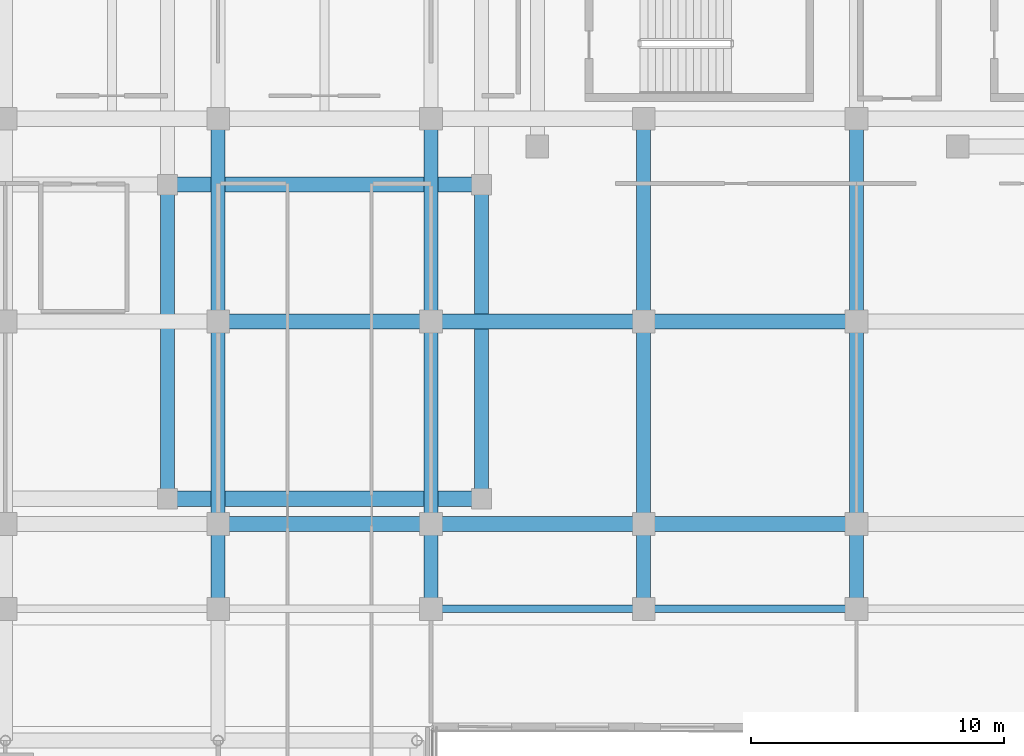
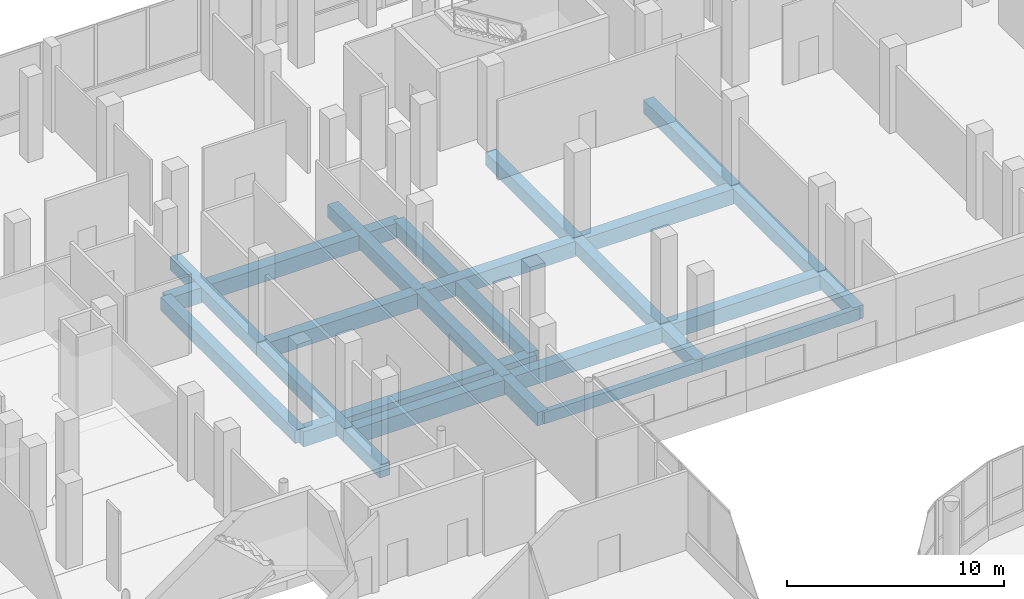
# One storey, part 89 of 168: 24 beams.
"""IFC4 building model written with IfcOpenShell, lengths in metres."""

from ifc_helpers import new_model, si_unit, direction, frame, origin, origin_2d, place, context, subcontext, project, spatial, rectangle, extrude, material, material_profile, profile_set, type_object, element, save


model = new_model("IFC4")

# Units and contexts
model_context = context("Model", 3, precision=1e-05, world=origin(), true_north=direction((0.0, 1.0)))
body_context = subcontext(model_context, "Body", "Model", "MODEL_VIEW")
ifc_project = project(units=[si_unit("LENGTHUNIT", "METRE"), si_unit("AREAUNIT", "SQUARE_METRE"), si_unit("VOLUMEUNIT", "CUBIC_METRE"), si_unit("PLANEANGLEUNIT", "RADIAN"), si_unit("MASSUNIT", "GRAM", prefix="KILO")], contexts=[model_context])

# Site, building, storey
site_placement = place(None, origin())
site = spatial("IfcSite", under=ifc_project, at=site_placement, CompositionType="ELEMENT")
building_placement = place(site_placement, origin())
building = spatial("IfcBuilding", under=site, at=building_placement, Name="Selatvlak General Hospital", CompositionType="ELEMENT")
storey_placement = place(building_placement, frame((0.0, 0.0, 5.39990234375)))
storey = spatial("IfcBuildingStorey", under=building, at=storey_placement, Name="L01", CompositionType="ELEMENT", Elevation=5.39990234375)

# Beams
ifc_material = material(Name="Concrete C40/50", Category="concrete")
ifc_material_profile_1 = material_profile(ifc_material, rectangle(XDim=0.60009765625, YDim=0.85009765625, at=origin_2d()), Name="RC-BM 600x850")
ifc_profile_set_1 = profile_set([ifc_material_profile_1], Name="Concrete C40/50")
beam_type_1 = type_object("IfcBeamType", Name="BM-G01", PredefinedType="BEAM", material=ifc_profile_set_1)
beam_1_placement = place(storey_placement, frame((73.199951171875, 92.0, -0.744873046875), z_axis=(1.0, 0.0, 0.0), x_axis=(0.0, 1.0, 0.0)))
element("IfcBeam", 1, at=beam_1_placement, inside=storey, type_object=beam_type_1, Name="Beam BMR-L01-0458", PredefinedType="BEAM", context=body_context, shape_type="SweptSolid", body=[
    extrude(rectangle(XDim=0.60009765625, YDim=0.85009765625, at=origin_2d()), origin(), (0.0, 0.0, 1.0), 8.400146484375),
])
for number, where, z_axis, x_axis, name in (
    (2, (81.60009765625, 92.0, -0.744873046875), (1.0, 0.0, 0.0), (0.0, 1.0, 0.0), "Beam BMR-L01-0459"),
    (3, (90.0, 92.0, -0.744873046875), (1.0, 0.0, 0.0), (0.0, 1.0, 0.0), "Beam BMR-L01-0460"),
):
    element("IfcBeam", number, at=place(storey_placement, frame(where, z_axis=z_axis, x_axis=x_axis)), inside=storey, type_object=beam_type_1, Name=name, PredefinedType="BEAM", context=body_context, shape_type="SweptSolid", body=[
        extrude(rectangle(XDim=0.60009765625, YDim=0.85009765625, at=origin_2d()), origin(), (0.0, 0.0, 1.0), 8.39990234375),
    ])
beam_2_placement = place(storey_placement, frame((71.199951171875, 93.0, -0.744873046875), z_axis=(1.0, 0.0, 0.0), x_axis=(0.0, 1.0, 0.0)))
element("IfcBeam", 4, at=beam_2_placement, inside=storey, type_object=beam_type_1, Name="Beam BMR-L01-0473", PredefinedType="BEAM", context=body_context, shape_type="SweptSolid", body=[
    extrude(rectangle(XDim=0.60009765625, YDim=0.85009765625, at=origin_2d()), origin(), (0.0, 0.0, 1.0), 12.400146484375),
])
beam_3_placement = place(storey_placement, frame((73.199951171875, 100.0, -0.744873046875), z_axis=(1.0, 0.0, 0.0), x_axis=(0.0, 1.0, 0.0)))
element("IfcBeam", 5, at=beam_3_placement, inside=storey, type_object=beam_type_1, Name="Beam BMR-L01-0480", PredefinedType="BEAM", context=body_context, shape_type="SweptSolid", body=[
    extrude(rectangle(XDim=0.60009765625, YDim=0.85009765625, at=origin_2d()), origin(), (0.0, 0.0, 1.0), 8.400146484375),
])
for number, where, z_axis, x_axis, name in (
    (6, (81.60009765625, 100.0, -0.744873046875), (1.0, 0.0, 0.0), (0.0, 1.0, 0.0), "Beam BMR-L01-0481"),
    (7, (90.0, 100.0, -0.744873046875), (1.0, 0.0, 0.0), (0.0, 1.0, 0.0), "Beam BMR-L01-0482"),
):
    element("IfcBeam", number, at=place(storey_placement, frame(where, z_axis=z_axis, x_axis=x_axis)), inside=storey, type_object=beam_type_1, Name=name, PredefinedType="BEAM", context=body_context, shape_type="SweptSolid", body=[
        extrude(rectangle(XDim=0.60009765625, YDim=0.85009765625, at=origin_2d()), origin(), (0.0, 0.0, 1.0), 8.39990234375),
    ])
beam_4_placement = place(storey_placement, frame((71.199951171875, 105.39990234375, -0.744873046875), z_axis=(1.0, 0.0, 0.0), x_axis=(0.0, 1.0, 0.0)))
element("IfcBeam", 8, at=beam_4_placement, inside=storey, type_object=beam_type_1, Name="Beam BMR-L01-0493", PredefinedType="BEAM", context=body_context, shape_type="SweptSolid", body=[
    extrude(rectangle(XDim=0.60009765625, YDim=0.85009765625, at=origin_2d()), origin(), (0.0, 0.0, 1.0), 12.400146484375),
])
ifc_material_profile_2 = material_profile(ifc_material, rectangle(XDim=0.550048828125, YDim=0.75, at=origin_2d()), Name="RC-BM 550x750")
ifc_profile_set_2 = profile_set([ifc_material_profile_2], Name="Concrete C40/50")
beam_type_2 = type_object("IfcBeamType", Name="BM-G02", PredefinedType="BEAM", material=ifc_profile_set_2)
beam_5_placement = place(storey_placement, frame((71.199951171875, 93.0, -0.69482421875), z_axis=(0.0, 1.0, 0.0), x_axis=(-1.0, 0.0, 0.0)))
element("IfcBeam", 9, at=beam_5_placement, inside=storey, type_object=beam_type_2, Name="Beam BMR-L01-0586", PredefinedType="BEAM", context=body_context, shape_type="SweptSolid", body=[
    extrude(rectangle(XDim=0.550048828125, YDim=0.75, at=origin_2d()), origin(), (0.0, 0.0, 1.0), 12.39990234375),
])
beam_6_placement = place(storey_placement, frame((73.199951171875, 88.64990234375, -0.69482421875), z_axis=(0.0, 1.0, 0.0), x_axis=(-1.0, 0.0, 0.0)))
element("IfcBeam", 10, at=beam_6_placement, inside=storey, type_object=beam_type_2, Name="Beam BMR-L01-0590", PredefinedType="BEAM", context=body_context, shape_type="SweptSolid", body=[
    extrude(rectangle(XDim=0.550048828125, YDim=0.75, at=origin_2d()), origin(), (0.0, 0.0, 1.0), 3.35009765625),
])
for number, where, z_axis, x_axis, name in (
    (11, (73.199951171875, 92.0, -0.69482421875), (0.0, 1.0, 0.0), (-1.0, 0.0, 0.0), "Beam BMR-L01-0591"),
    (12, (73.199951171875, 100.0, -0.69482421875), (0.0, 1.0, 0.0), (-1.0, 0.0, 0.0), "Beam BMR-L01-0592"),
):
    element("IfcBeam", number, at=place(storey_placement, frame(where, z_axis=z_axis, x_axis=x_axis)), inside=storey, type_object=beam_type_2, Name=name, PredefinedType="BEAM", context=body_context, shape_type="SweptSolid", body=[
        extrude(rectangle(XDim=0.550048828125, YDim=0.75, at=origin_2d()), origin(), (0.0, 0.0, 1.0), 8.0),
    ])
beam_7_placement = place(storey_placement, frame((81.60009765625, 88.64990234375, -0.69482421875), z_axis=(0.0, 1.0, 0.0), x_axis=(-1.0, 0.0, 0.0)))
element("IfcBeam", 13, at=beam_7_placement, inside=storey, type_object=beam_type_2, Name="Beam BMR-L01-0597", PredefinedType="BEAM", context=body_context, shape_type="SweptSolid", body=[
    extrude(rectangle(XDim=0.550048828125, YDim=0.75, at=origin_2d()), origin(), (0.0, 0.0, 1.0), 3.35009765625),
])
for number, where, z_axis, x_axis, name in (
    (14, (81.60009765625, 92.0, -0.69482421875), (0.0, 1.0, 0.0), (-1.0, 0.0, 0.0), "Beam BMR-L01-0598"),
    (15, (81.60009765625, 100.0, -0.69482421875), (0.0, 1.0, 0.0), (-1.0, 0.0, 0.0), "Beam BMR-L01-0599"),
):
    element("IfcBeam", number, at=place(storey_placement, frame(where, z_axis=z_axis, x_axis=x_axis)), inside=storey, type_object=beam_type_2, Name=name, PredefinedType="BEAM", context=body_context, shape_type="SweptSolid", body=[
        extrude(rectangle(XDim=0.550048828125, YDim=0.75, at=origin_2d()), origin(), (0.0, 0.0, 1.0), 8.0),
    ])
beam_8_placement = place(storey_placement, frame((83.60009765625, 93.0, -0.69482421875), z_axis=(0.0, 1.0, 0.0), x_axis=(-1.0, 0.0, 0.0)))
element("IfcBeam", 16, at=beam_8_placement, inside=storey, type_object=beam_type_2, Name="Beam BMR-L01-0602", PredefinedType="BEAM", context=body_context, shape_type="SweptSolid", body=[
    extrude(rectangle(XDim=0.550048828125, YDim=0.75, at=origin_2d()), origin(), (0.0, 0.0, 1.0), 12.39990234375),
])
beam_9_placement = place(storey_placement, frame((90.0, 88.64990234375, -0.69482421875), z_axis=(0.0, 1.0, 0.0), x_axis=(-1.0, 0.0, 0.0)))
element("IfcBeam", 17, at=beam_9_placement, inside=storey, type_object=beam_type_2, Name="Beam BMR-L01-0605", PredefinedType="BEAM", context=body_context, shape_type="SweptSolid", body=[
    extrude(rectangle(XDim=0.550048828125, YDim=0.75, at=origin_2d()), origin(), (0.0, 0.0, 1.0), 3.35009765625),
])
for number, where, z_axis, x_axis, name in (
    (18, (90.0, 92.0, -0.69482421875), (0.0, 1.0, 0.0), (-1.0, 0.0, 0.0), "Beam BMR-L01-0606"),
    (19, (90.0, 100.0, -0.69482421875), (0.0, 1.0, 0.0), (-1.0, 0.0, 0.0), "Beam BMR-L01-0607"),
):
    element("IfcBeam", number, at=place(storey_placement, frame(where, z_axis=z_axis, x_axis=x_axis)), inside=storey, type_object=beam_type_2, Name=name, PredefinedType="BEAM", context=body_context, shape_type="SweptSolid", body=[
        extrude(rectangle(XDim=0.550048828125, YDim=0.75, at=origin_2d()), origin(), (0.0, 0.0, 1.0), 8.0),
    ])
beam_10_placement = place(storey_placement, frame((98.39990234375, 88.64990234375, -0.69482421875), z_axis=(0.0, 1.0, 0.0), x_axis=(-1.0, 0.0, 0.0)))
element("IfcBeam", 20, at=beam_10_placement, inside=storey, type_object=beam_type_2, Name="Beam BMR-L01-0609", PredefinedType="BEAM", context=body_context, shape_type="SweptSolid", body=[
    extrude(rectangle(XDim=0.550048828125, YDim=0.75, at=origin_2d()), origin(), (0.0, 0.0, 1.0), 3.35009765625),
])
for number, where, z_axis, x_axis, name in (
    (21, (98.39990234375, 92.0, -0.69482421875), (0.0, 1.0, 0.0), (-1.0, 0.0, 0.0), "Beam BMR-L01-0610"),
    (22, (98.39990234375, 100.0, -0.69482421875), (0.0, 1.0, 0.0), (-1.0, 0.0, 0.0), "Beam BMR-L01-0611"),
):
    element("IfcBeam", number, at=place(storey_placement, frame(where, z_axis=z_axis, x_axis=x_axis)), inside=storey, type_object=beam_type_2, Name=name, PredefinedType="BEAM", context=body_context, shape_type="SweptSolid", body=[
        extrude(rectangle(XDim=0.550048828125, YDim=0.75, at=origin_2d()), origin(), (0.0, 0.0, 1.0), 8.0),
    ])
ifc_material_profile_3 = material_profile(ifc_material, rectangle(XDim=0.300048828125, YDim=0.64990234375, at=origin_2d()), Name="RC-SP 300x650")
ifc_profile_set_3 = profile_set([ifc_material_profile_3], Name="Concrete C40/50")
beam_type_3 = type_object("IfcBeamType", Name="BM-SP1", PredefinedType="SPANDREL", material=ifc_profile_set_3)
for number, where, z_axis, x_axis, name in (
    (23, (81.60009765625, 88.64990234375, -0.64501953125), (1.0, 0.0, 0.0), (0.0, 1.0, 0.0), "Beam BMR-L01-0439"),
    (24, (90.0, 88.64990234375, -0.64501953125), (1.0, 0.0, 0.0), (0.0, 1.0, 0.0), "Beam BMR-L01-0440"),
):
    element("IfcBeam", number, at=place(storey_placement, frame(where, z_axis=z_axis, x_axis=x_axis)), inside=storey, type_object=beam_type_3, Name=name, PredefinedType="SPANDREL", context=body_context, shape_type="SweptSolid", body=[
        extrude(rectangle(XDim=0.300048828125, YDim=0.64990234375, at=origin_2d()), origin(), (0.0, 0.0, 1.0), 8.39990234375),
    ])

save(model, "model.ifc")
